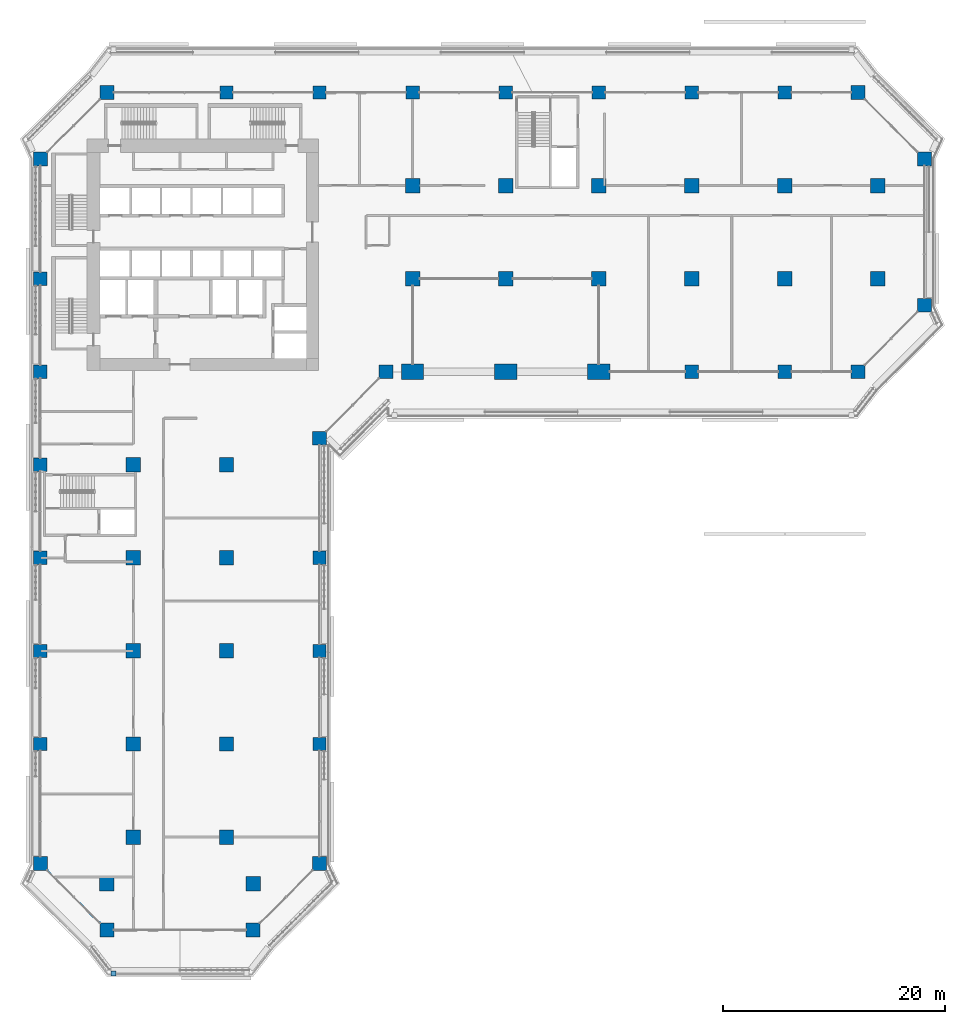
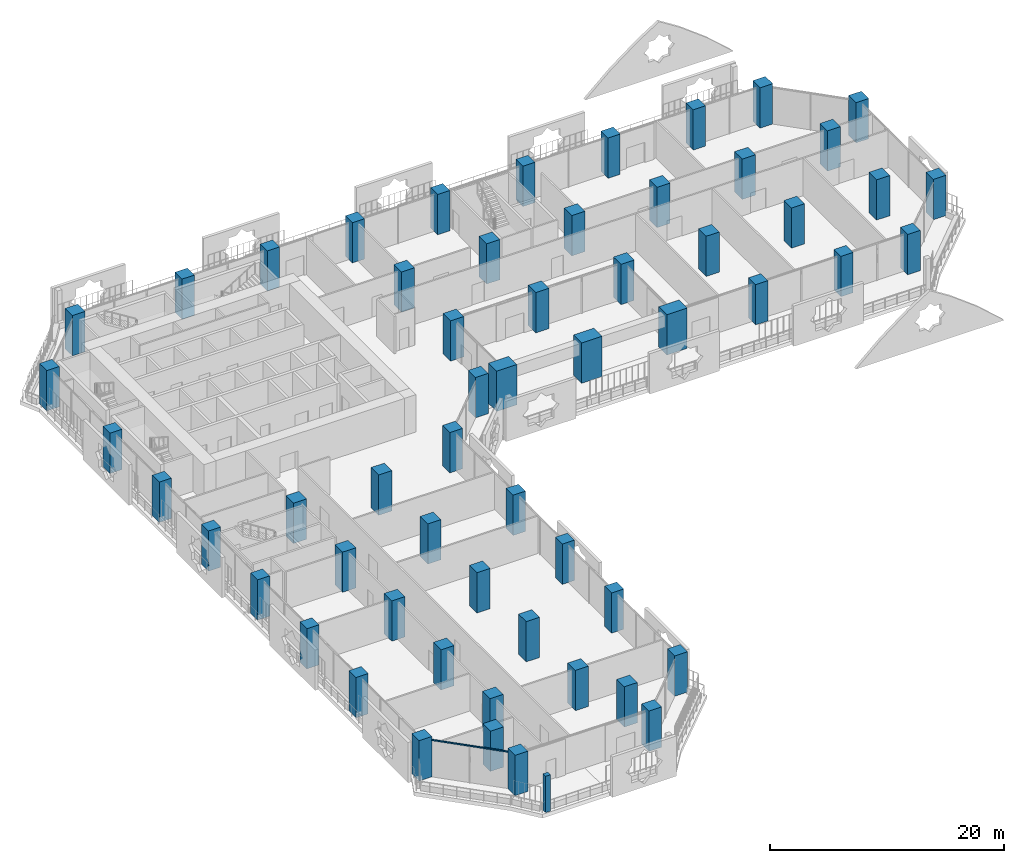
# One storey, part 1 of 27: 57 columns, 2 members, 2 elements without a shape of their own.
"""IFC4 building model written with IfcOpenShell, lengths in metres."""

import ifcopenshell
import ifcopenshell.guid

model = None  # the IFC model being written
_history = None  # IfcOwnerHistory: only IFC2X3 demands one
_inside = {}  # id of a spatial element -> (the spatial element, [elements in it])
_under = {}  # id of a project, library or spatial element -> (it, [spatial elements below it])
_declared = {}  # id of a project -> (the project, [libraries it declares])
_typed = {}  # id of a type object -> (the type object, [elements of that type])
_made_of = {}  # id of a material, layer set ... -> (it, [elements and type objects made of it])


def new_model(schema):
    """Start an empty IFC model of exactly this schema.

    Asked for "IFC4X3", IfcOpenShell would pick the latest addendum, in which some entities
    have other attributes; the version numbers below select the first issue.
    IFC2X3 requires an IfcOwnerHistory on every rooted entity: one is made here for all.
    """
    global model, _history
    if schema == "IFC4X3":
        model = ifcopenshell.file(schema_version=(4, 3, 0, 0))
    else:
        model = ifcopenshell.file(schema=schema)
    _inside.clear()
    _under.clear()
    _declared.clear()
    _typed.clear()
    _made_of.clear()
    _history = None
    if model.schema == "IFC2X3":
        org = make("IfcOrganization", Name="unknown")
        user = make(
            "IfcPersonAndOrganization",
            ThePerson=make("IfcPerson", FamilyName="unknown"),
            TheOrganization=org,
        )
        app = make(
            "IfcApplication",
            ApplicationDeveloper=org,
            Version="unknown",
            ApplicationFullName="unknown",
            ApplicationIdentifier="unknown",
        )
        _history = make(
            "IfcOwnerHistory",
            OwningUser=user,
            OwningApplication=app,
            ChangeAction="ADDED",
            CreationDate=0,
        )
    return model


def make(cls, **values):
    """One entity of the class cls with the attributes given. An attribute that is None is left unset."""
    return model.create_entity(
        cls, **{name: value for name, value in values.items() if value is not None}
    )


def rooted(cls, **values):
    """An entity with a GlobalId (a new one), such as an element, a storey or a relation."""
    return make(cls, GlobalId=ifcopenshell.guid.new(), OwnerHistory=_history, **values)


def si_unit(unit_type, name, prefix=None):
    """IfcSIUnit, for example si_unit("LENGTHUNIT", "METRE", prefix="MILLI")."""
    return make("IfcSIUnit", UnitType=unit_type, Prefix=prefix, Name=name)


def assignment(units):
    """IfcUnitAssignment: the units of a project."""
    return None if units is None else make("IfcUnitAssignment", Units=units)


def point(xyz):
    """IfcCartesianPoint."""
    return None if xyz is None else make("IfcCartesianPoint", Coordinates=xyz)


def direction(xyz):
    """IfcDirection."""
    return None if xyz is None else make("IfcDirection", DirectionRatios=xyz)


def frame(location, z_axis=None, x_axis=None):
    """IfcAxis2Placement3D, a coordinate frame: its origin and axes. An axis left out is left unset."""
    return make(
        "IfcAxis2Placement3D",
        Location=point(location),
        Axis=direction(z_axis),
        RefDirection=direction(x_axis),
    )


def frame_2d(location, x_axis=None):
    """IfcAxis2Placement2D, a coordinate frame in the plane: its origin and x axis."""
    return make(
        "IfcAxis2Placement2D", Location=point(location), RefDirection=direction(x_axis)
    )


def origin():
    """The frame at (0, 0, 0) with its axes left unset."""
    return frame((0.0, 0.0, 0.0))


def origin_2d():
    """The frame at (0, 0) in the plane with its x axis left unset."""
    return frame_2d((0.0, 0.0))


def place(relative_to, where):
    """IfcLocalPlacement: puts the frame where relative to a parent placement (None: the world)."""
    return make(
        "IfcLocalPlacement", PlacementRelTo=relative_to, RelativePlacement=where
    )


def context(
    kind, dimensions, precision=None, world=None, true_north=None, identifier=None
):
    """IfcGeometricRepresentationContext, for example the 3D "Model" context."""
    return make(
        "IfcGeometricRepresentationContext",
        ContextIdentifier=identifier,
        ContextType=kind,
        CoordinateSpaceDimension=dimensions,
        Precision=precision,
        WorldCoordinateSystem=world,
        TrueNorth=true_north,
    )


def subcontext(parent, identifier, kind, view, scale=None):
    """IfcGeometricRepresentationSubContext, for example "Body" below "Model"."""
    return make(
        "IfcGeometricRepresentationSubContext",
        ContextIdentifier=identifier,
        ContextType=kind,
        ParentContext=parent,
        TargetScale=scale,
        TargetView=view,
    )


def project(units=None, contexts=None):
    """IfcProject with its units and contexts."""
    return rooted(
        "IfcProject",
        Name="project",
        RepresentationContexts=contexts,
        UnitsInContext=assignment(units),
    )


def spatial(cls, under=None, at=None, **own):
    """A site, building, storey or space (cls), placed at a placement, below another one or the project."""
    s = rooted(cls, ObjectPlacement=at, **own)
    if under is not None:
        _under.setdefault(under.id(), (under, []))[1].append(s)
    return s


def profile(cls, at=None, kind="AREA", **sizes):
    """A parametric profile (cls). Its sizes go by their IFC names, for example OverallWidth=200.0."""
    return make(cls, ProfileType=kind, Position=at, **sizes)


def rectangle(**sizes):
    """IfcRectangleProfileDef."""
    return profile("IfcRectangleProfileDef", **sizes)


def extrude(swept, where, along, depth):
    """IfcExtrudedAreaSolid: the profile swept, set in the frame where, extruded along a direction by depth."""
    return make(
        "IfcExtrudedAreaSolid",
        SweptArea=swept,
        Position=where,
        ExtrudedDirection=direction(along),
        Depth=depth,
    )


def shape(context_of_items, identifier, shape_type, items):
    """IfcShapeRepresentation: the items that make up one representation, for example the "Body"."""
    return make(
        "IfcShapeRepresentation",
        ContextOfItems=context_of_items,
        RepresentationIdentifier=identifier,
        RepresentationType=shape_type,
        Items=items,
    )


def material(Name=None, Category=None):
    """IfcMaterial."""
    return make("IfcMaterial", Name=Name, Category=Category)


def layer(
    of_material, thickness, ventilated=None, Name=None, Category=None, Priority=None
):
    """IfcMaterialLayer: one layer of a wall or slab, of a material (None: an air gap)."""
    return make(
        "IfcMaterialLayer",
        Material=of_material,
        LayerThickness=thickness,
        IsVentilated=ventilated,
        Name=Name,
        Category=Category,
        Priority=Priority,
    )


def layer_set(layers, Name=None):
    """IfcMaterialLayerSet."""
    return make("IfcMaterialLayerSet", MaterialLayers=layers, LayerSetName=Name)


def material_profile(
    of_material, cross_section, Name=None, Category=None, Priority=None
):
    """IfcMaterialProfile: a cross section and its material."""
    return make(
        "IfcMaterialProfile",
        Name=Name,
        Material=of_material,
        Profile=cross_section,
        Priority=Priority,
        Category=Category,
    )


def profile_set(profiles, Name=None, composite=None):
    """IfcMaterialProfileSet."""
    return make(
        "IfcMaterialProfileSet",
        Name=Name,
        MaterialProfiles=profiles,
        CompositeProfile=composite,
    )


def made_of(thing, what):
    """Note that an element or type object is made of a material, layer set ...; save() writes the relation."""
    if what is not None:
        _made_of.setdefault(what.id(), (what, []))[1].append(thing)
    return thing


def type_object(cls, material=None, **own):
    """A type object (cls), such as IfcWallType, which elements share."""
    return made_of(rooted(cls, **own), material)


def element(
    cls,
    number,
    at=None,
    inside=None,
    cuts=None,
    type_object=None,
    material=None,
    context=None,
    identifier="Body",
    shape_type=None,
    held_by="IfcProductDefinitionShape",
    body=None,
    shapes=None,
    **own,
):
    """One element of the class cls, such as IfcWall. Its Tag is "e" and its number.

    at: its placement. inside: the storey or other place that contains it. cuts: it is an
    opening in that element (IfcRelVoidsElement). A single representation is given by context,
    identifier, shape_type and body (its items); several are given by shapes. held_by: the class
    of the entity that holds the representations. save() writes the other relations.
    """
    e = rooted(cls, Tag="e%d" % number, ObjectPlacement=at, **own)
    if body is not None:
        shapes = [shape(context, identifier, shape_type, body)]
    if shapes is not None:
        e.Representation = make(held_by, Representations=shapes)
    if inside is not None:
        _inside.setdefault(inside.id(), (inside, []))[1].append(e)
    if cuts is not None:
        rooted(
            "IfcRelVoidsElement", RelatingBuildingElement=cuts, RelatedOpeningElement=e
        )
    if type_object is not None:
        _typed.setdefault(type_object.id(), (type_object, []))[1].append(e)
    return made_of(e, material)


def aggregate(whole, parts):
    """IfcRelAggregates: a whole, such as a stair, and the parts it consists of."""
    return rooted("IfcRelAggregates", RelatingObject=whole, RelatedObjects=parts)


def save(model, path):
    """Write the relations noted so far, then the file.

    IfcRelAggregates (storeys below a building ...), IfcRelContainedInSpatialStructure (elements
    in a storey), IfcRelDefinesByType, IfcRelAssociatesMaterial and IfcRelDeclares: one each for
    every whole, place, type object, material and project.
    """
    for whole, parts in _under.values():
        aggregate(whole, parts)
    for where, things in _inside.values():
        rooted(
            "IfcRelContainedInSpatialStructure",
            RelatedElements=things,
            RelatingStructure=where,
        )
    for kind, things in _typed.values():
        rooted("IfcRelDefinesByType", RelatedObjects=things, RelatingType=kind)
    for what, things in _made_of.values():
        rooted("IfcRelAssociatesMaterial", RelatedObjects=things, RelatingMaterial=what)
    for by, libraries in _declared.values():
        rooted("IfcRelDeclares", RelatingContext=by, RelatedDefinitions=libraries)
    model.write(path)


model = new_model("IFC4")

# Units and contexts
model_context = context("Model", 3, precision=1e-05, world=origin(), true_north=direction((0.0, 1.0)))
body_context = subcontext(model_context, "Body", "Model", "MODEL_VIEW")
ifc_project = project(units=[si_unit("LENGTHUNIT", "METRE"), si_unit("AREAUNIT", "SQUARE_METRE"), si_unit("VOLUMEUNIT", "CUBIC_METRE"), si_unit("PLANEANGLEUNIT", "RADIAN"), si_unit("MASSUNIT", "GRAM", prefix="KILO")], contexts=[model_context])

# Site, building, storey
site_placement = place(None, origin())
site = spatial("IfcSite", under=ifc_project, at=site_placement, CompositionType="ELEMENT")
building_placement = place(site_placement, origin())
building = spatial("IfcBuilding", under=site, at=building_placement, Name="Kawkab Arch Medical Tower", CompositionType="ELEMENT")
storey_placement = place(building_placement, frame((0.0, 0.0, 39.199951171875)))
storey = spatial("IfcBuildingStorey", under=building, at=storey_placement, Name="L08", CompositionType="ELEMENT", Elevation=39.199951171875)

# Columns
ifc_material_1 = material(Name="Concrete C60/75", Category="concrete")
ifc_material_profile_1 = material_profile(ifc_material_1, rectangle(XDim=1.199951171875, YDim=1.199951171875, at=origin_2d()), Name="RC 1200x1200")
ifc_profile_set_1 = profile_set([ifc_material_profile_1], Name="Concrete C60/75")
column_type_1 = type_object("IfcColumnType", Name="RC 1200x1200 column C60/75", PredefinedType="COLUMN", material=ifc_profile_set_1)
for number, where, z_axis, x_axis, name in (
    (1, (16.800048828125, 0.0, 0.0), (0.0, 0.0, 1.0), (1.0, 0.0, 0.0), "Column RC 1200x1200"),
    (2, (25.199951171875, 0.0, 0.0), (0.0, 0.0, 1.0), (1.0, 0.0, 0.0), "Column RC 1200x1200"),
    (3, (33.60009765625, 0.0, 0.0), (0.0, 0.0, 1.0), (1.0, 0.0, 0.0), "Column RC 1200x1200"),
    (4, (42.0, 0.0, 0.0), (0.0, 0.0, 1.0), (1.0, 0.0, 0.0), "Column RC 1200x1200"),
    (5, (50.39990234375, 0.0, 0.0), (0.0, 0.0, 1.0), (1.0, 0.0, 0.0), "Column RC 1200x1200"),
    (6, (58.800048828125, 0.0, 0.0), (0.0, 0.0, 1.0), (1.0, 0.0, 0.0), "Column RC 1200x1200"),
    (7, (67.199951171875, 0.0, 0.0), (0.0, 0.0, 1.0), (1.0, 0.0, 0.0), "Column RC 1200x1200"),
    (8, (0.0, -16.800048828125, 0.0), (0.0, 0.0, 1.0), (1.0, 0.0, 0.0), "Column RC 1200x1200"),
    (9, (0.0, -25.199951171875, 0.0), (0.0, 0.0, 1.0), (1.0, 0.0, 0.0), "Column RC 1200x1200"),
    (10, (58.800048828125, -25.199951171875, 0.0), (0.0, 0.0, 1.0), (1.0, 0.0, 0.0), "Column RC 1200x1200"),
    (11, (67.199951171875, -25.199951171875, 0.0), (0.0, 0.0, 1.0), (1.0, 0.0, 0.0), "Column RC 1200x1200"),
    (12, (0.0, -33.60009765625, 0.0), (0.0, 0.0, 1.0), (1.0, 0.0, 0.0), "Column RC 1200x1200"),
    (13, (0.0, -42.0, 0.0), (0.0, 0.0, 1.0), (1.0, 0.0, 0.0), "Column RC 1200x1200"),
    (14, (25.199951171875, -42.0, 0.0), (0.0, 0.0, 1.0), (1.0, 0.0, 0.0), "Column RC 1200x1200"),
    (15, (0.0, -50.39990234375, 0.0), (0.0, 0.0, 1.0), (1.0, 0.0, 0.0), "Column RC 1200x1200"),
    (16, (25.199951171875, -50.39990234375, 0.0), (0.0, 0.0, 1.0), (1.0, 0.0, 0.0), "Column RC 1200x1200"),
    (17, (0.0, -58.800048828125, 0.0), (0.0, 0.0, 1.0), (1.0, 0.0, 0.0), "Column RC 1200x1200"),
    (18, (25.199951171875, -58.800048828125, 0.0), (0.0, 0.0, 1.0), (1.0, 0.0, 0.0), "Column RC 1200x1200"),
):
    element("IfcColumn", number, at=place(storey_placement, frame(where, z_axis=z_axis, x_axis=x_axis)), inside=storey, type_object=column_type_1, Name=name, PredefinedType="COLUMN", context=body_context, shape_type="SweptSolid", body=[
        extrude(rectangle(XDim=1.199951171875, YDim=1.199951171875, at=origin_2d()), origin(), (0.0, 0.0, 1.0), 4.199951171875),
    ])
ifc_material_2 = material(Name="Concrete C60/75", Category="concrete")
ifc_material_profile_2 = material_profile(ifc_material_2, rectangle(XDim=1.25, YDim=1.25, at=origin_2d()), Name="RC 1250x1250")
ifc_profile_set_2 = profile_set([ifc_material_profile_2], Name="Concrete C60/75")
column_type_2 = type_object("IfcColumnType", Name="RC 1250x1250 column C60/75", PredefinedType="COLUMN", material=ifc_profile_set_2)
for number, where, z_axis, x_axis, name in (
    (19, (6.0, 0.0, 0.0), (0.0, 0.0, 1.0), (1.0, 0.0, 0.0), "Column RC 1250x1250"),
    (20, (73.800048828125, 0.0, 0.0), (0.0, 0.0, 1.0), (1.0, 0.0, 0.0), "Column RC 1250x1250"),
    (21, (0.0, -6.0, 0.0), (0.0, 0.0, 1.0), (1.0, 0.0, 0.0), "Column RC 1250x1250"),
    (22, (79.800048828125, -6.0, 0.0), (0.0, 0.0, 1.0), (1.0, 0.0, 0.0), "Column RC 1250x1250"),
    (23, (79.800048828125, -19.199951171875, 0.0), (0.0, 0.0, 1.0), (1.0, 0.0, 0.0), "Column RC 1250x1250"),
    (24, (31.199951171875, -25.199951171875, 0.0), (0.0, 0.0, 1.0), (1.0, 0.0, 0.0), "Column RC 1250x1250"),
    (25, (73.800048828125, -25.199951171875, 0.0), (0.0, 0.0, 1.0), (1.0, 0.0, 0.0), "Column RC 1250x1250"),
    (26, (25.199951171875, -31.199951171875, 0.0), (0.0, 0.0, 1.0), (1.0, 0.0, 0.0), "Column RC 1250x1250"),
    (27, (0.0, -69.60009765625, 0.0), (0.0, 0.0, 1.0), (1.0, 0.0, 0.0), "Column RC 1250x1250"),
    (28, (25.199951171875, -69.60009765625, 0.0), (0.0, 0.0, 1.0), (1.0, 0.0, 0.0), "Column RC 1250x1250"),
    (29, (6.0, -75.60009765625, 0.0), (0.0, 0.0, 1.0), (1.0, 0.0, 0.0), "Column RC 1250x1250"),
    (30, (19.199951171875, -75.60009765625, 0.0), (0.0, 0.0, 1.0), (1.0, 0.0, 0.0), "Column RC 1250x1250"),
):
    element("IfcColumn", number, at=place(storey_placement, frame(where, z_axis=z_axis, x_axis=x_axis)), inside=storey, type_object=column_type_2, Name=name, PredefinedType="COLUMN", context=body_context, shape_type="SweptSolid", body=[
        extrude(rectangle(XDim=1.25, YDim=1.25, at=origin_2d()), origin(), (0.0, 0.0, 1.0), 4.199951171875),
    ])
ifc_material_3 = material(Name="Concrete C60/75", Category="concrete")
ifc_material_profile_3 = material_profile(ifc_material_3, rectangle(XDim=1.300048828125, YDim=1.300048828125, at=origin_2d()), Name="RC 1300x1300")
ifc_profile_set_3 = profile_set([ifc_material_profile_3], Name="Concrete C60/75")
column_type_3 = type_object("IfcColumnType", Name="RC 1300x1300 column C60/75", PredefinedType="COLUMN", material=ifc_profile_set_3)
for number, where, z_axis, x_axis, name in (
    (31, (33.60009765625, -8.39990234375, 0.0), (0.0, 0.0, 1.0), (1.0, 0.0, 0.0), "Column RC 1300x1300"),
    (32, (42.0, -8.39990234375, 0.0), (0.0, 0.0, 1.0), (1.0, 0.0, 0.0), "Column RC 1300x1300"),
    (33, (50.39990234375, -8.39990234375, 0.0), (0.0, 0.0, 1.0), (1.0, 0.0, 0.0), "Column RC 1300x1300"),
    (34, (58.800048828125, -8.39990234375, 0.0), (0.0, 0.0, 1.0), (1.0, 0.0, 0.0), "Column RC 1300x1300"),
    (35, (67.199951171875, -8.39990234375, 0.0), (0.0, 0.0, 1.0), (1.0, 0.0, 0.0), "Column RC 1300x1300"),
    (36, (75.60009765625, -8.39990234375, 0.0), (0.0, 0.0, 1.0), (1.0, 0.0, 0.0), "Column RC 1300x1300"),
    (37, (33.60009765625, -16.800048828125, 0.0), (0.0, 0.0, 1.0), (1.0, 0.0, 0.0), "Column RC 1300x1300"),
    (38, (42.0, -16.800048828125, 0.0), (0.0, 0.0, 1.0), (1.0, 0.0, 0.0), "Column RC 1300x1300"),
    (39, (50.39990234375, -16.800048828125, 0.0), (0.0, 0.0, 1.0), (1.0, 0.0, 0.0), "Column RC 1300x1300"),
    (40, (58.800048828125, -16.800048828125, 0.0), (0.0, 0.0, 1.0), (1.0, 0.0, 0.0), "Column RC 1300x1300"),
    (41, (67.199951171875, -16.800048828125, 0.0), (0.0, 0.0, 1.0), (1.0, 0.0, 0.0), "Column RC 1300x1300"),
    (42, (75.60009765625, -16.800048828125, 0.0), (0.0, 0.0, 1.0), (1.0, 0.0, 0.0), "Column RC 1300x1300"),
    (43, (8.39990234375, -33.60009765625, 0.0), (0.0, 0.0, 1.0), (1.0, 0.0, 0.0), "Column RC 1300x1300"),
    (44, (16.800048828125, -33.60009765625, 0.0), (0.0, 0.0, 1.0), (1.0, 0.0, 0.0), "Column RC 1300x1300"),
    (45, (8.39990234375, -42.0, 0.0), (0.0, 0.0, 1.0), (1.0, 0.0, 0.0), "Column RC 1300x1300"),
    (46, (16.800048828125, -42.0, 0.0), (0.0, 0.0, 1.0), (1.0, 0.0, 0.0), "Column RC 1300x1300"),
    (47, (8.39990234375, -50.39990234375, 0.0), (0.0, 0.0, 1.0), (1.0, 0.0, 0.0), "Column RC 1300x1300"),
    (48, (16.800048828125, -50.39990234375, 0.0), (0.0, 0.0, 1.0), (1.0, 0.0, 0.0), "Column RC 1300x1300"),
    (49, (8.39990234375, -58.800048828125, 0.0), (0.0, 0.0, 1.0), (1.0, 0.0, 0.0), "Column RC 1300x1300"),
    (50, (16.800048828125, -58.800048828125, 0.0), (0.0, 0.0, 1.0), (1.0, 0.0, 0.0), "Column RC 1300x1300"),
    (51, (8.39990234375, -67.199951171875, 0.0), (0.0, 0.0, 1.0), (1.0, 0.0, 0.0), "Column RC 1300x1300"),
    (52, (16.800048828125, -67.199951171875, 0.0), (0.0, 0.0, 1.0), (1.0, 0.0, 0.0), "Column RC 1300x1300"),
    (53, (6.0, -71.39990234375, 0.0), (0.0, 0.0, 1.0), (1.0, 0.0, 0.0), "Column RC 1300x1300"),
    (54, (19.199951171875, -71.39990234375, 0.0), (0.0, 0.0, 1.0), (1.0, 0.0, 0.0), "Column RC 1300x1300"),
):
    element("IfcColumn", number, at=place(storey_placement, frame(where, z_axis=z_axis, x_axis=x_axis)), inside=storey, type_object=column_type_3, Name=name, PredefinedType="COLUMN", context=body_context, shape_type="SweptSolid", body=[
        extrude(rectangle(XDim=1.300048828125, YDim=1.300048828125, at=origin_2d()), origin(), (0.0, 0.0, 1.0), 4.199951171875),
    ])
ifc_material_4 = material(Name="Concrete C60/75", Category="concrete")
ifc_material_profile_4 = material_profile(ifc_material_4, rectangle(XDim=2.0, YDim=1.39990234375, at=origin_2d()), Name="RC 2000x1400")
ifc_profile_set_4 = profile_set([ifc_material_profile_4], Name="Concrete C60/75")
column_type_4 = type_object("IfcColumnType", Name="RC 2000x1400 column C60/75", PredefinedType="COLUMN", material=ifc_profile_set_4)
for number, where, z_axis, x_axis, name in (
    (55, (33.60009765625, -25.199951171875, 0.0), (0.0, 0.0, 1.0), (-1.0, 0.0, 0.0), "Column RC 2000x1400"),
    (56, (42.0, -25.199951171875, 0.0), (0.0, 0.0, 1.0), (-1.0, 0.0, 0.0), "Column RC 2000x1400"),
    (57, (50.39990234375, -25.199951171875, 0.0), (0.0, 0.0, 1.0), (-1.0, 0.0, 0.0), "Column RC 2000x1400"),
):
    element("IfcColumn", number, at=place(storey_placement, frame(where, z_axis=z_axis, x_axis=x_axis)), inside=storey, type_object=column_type_4, Name=name, PredefinedType="COLUMN", context=body_context, shape_type="SweptSolid", body=[
        extrude(rectangle(XDim=2.0, YDim=1.39990234375, at=origin_2d()), origin(), (0.0, 0.0, 1.0), 4.199951171875),
    ])

# Curtain wall, member
ifc_material_5 = material(Name="Bronze anodised aluminium curtain wall frame", Category="aluminium")
ifc_layer_1 = layer(ifc_material_5, 0.159912109375)
ifc_layer_set_1 = layer_set([ifc_layer_1], Name="Bronze anodised aluminium curtain wall frame")
curtain_wall_type_1 = type_object("IfcCurtainWallType", Name="CW2 chamfer curtain wall", PredefinedType="NOTDEFINED", material=ifc_layer_set_1)
placement = place(storey_placement, origin())
curtain_wall_1 = element("IfcCurtainWall", 58, at=placement, inside=storey, type_object=curtain_wall_type_1, Name="CW2 Chamfer curtain wall R12", PredefinedType="NOTDEFINED")
ifc_material_6 = material(Name="Bronze anodised aluminium curtain wall frame", Category="aluminium")
ifc_material_profile_5 = material_profile(ifc_material_6, rectangle(XDim=0.06005859375, YDim=0.139892578125, at=origin_2d()), Name="AL 60x140")
ifc_profile_set_5 = profile_set([ifc_material_profile_5], Name="Bronze anodised aluminium curtain wall frame")
member_type_1 = type_object("IfcMemberType", Name="CW2 transom 140 x 60", PredefinedType="USERDEFINED", material=ifc_profile_set_5)
member_1_placement = place(storey_placement, frame((0.625, -70.22509765625, 3.830078125), z_axis=(0.707106781187, -0.707106781187, 0.0), x_axis=(0.707106781187, 0.707106781187, 0.0)))
member_1 = element("IfcMember", 59, at=member_1_placement, type_object=member_type_1, Name="CW2 transom 1", ObjectType="TRANSOM", PredefinedType="USERDEFINED", context=body_context, shape_type="SweptSolid", body=[
    extrude(rectangle(XDim=0.06005859375, YDim=0.139892578125, at=origin_2d()), origin(), (0.0, 0.0, 1.0), 6.717529296875),
])
aggregate(curtain_wall_1, [member_1])

ifc_material_7 = material(Name="Bronze anodised aluminium climber frame, planted", Category="aluminium")
ifc_layer_2 = layer(ifc_material_7, 0.449951171875)
ifc_layer_set_2 = layer_set([ifc_layer_2], Name="Bronze anodised aluminium climber frame, planted")
curtain_wall_type_2 = type_object("IfcCurtainWallType", Name="Planted climber frame", PredefinedType="NOTDEFINED", material=ifc_layer_set_2)
curtain_wall_2 = element("IfcCurtainWall", 60, at=placement, inside=storey, type_object=curtain_wall_type_2, Name="Planted climber frame L08", PredefinedType="NOTDEFINED")
ifc_material_8 = material(Name="Bronze anodised aluminium climber frame, planted", Category="aluminium")
ifc_material_profile_6 = material_profile(ifc_material_8, rectangle(XDim=0.449951171875, YDim=0.449951171875, at=origin_2d()), Name="Post 450x450")
ifc_profile_set_6 = profile_set([ifc_material_profile_6], Name="Bronze anodised aluminium climber frame, planted")
member_type_2 = type_object("IfcMemberType", Name="Planted climber post 450 x 450", PredefinedType="MULLION", material=ifc_profile_set_6)
member_2_placement = place(storey_placement, frame((6.596923828125, -79.5, 0.0), z_axis=(0.0, 0.0, 1.0), x_axis=(1.0, 0.0, 0.0)))
member_2 = element("IfcMember", 61, at=member_2_placement, type_object=member_type_2, Name="Planted climber post L08.LOG-01-01.2", PredefinedType="MULLION", context=body_context, shape_type="SweptSolid", body=[
    extrude(rectangle(XDim=0.449951171875, YDim=0.449951171875, at=origin_2d()), origin(), (0.0, 0.0, 1.0), 3.800048828125),
])
aggregate(curtain_wall_2, [member_2])

save(model, "model.ifc")
